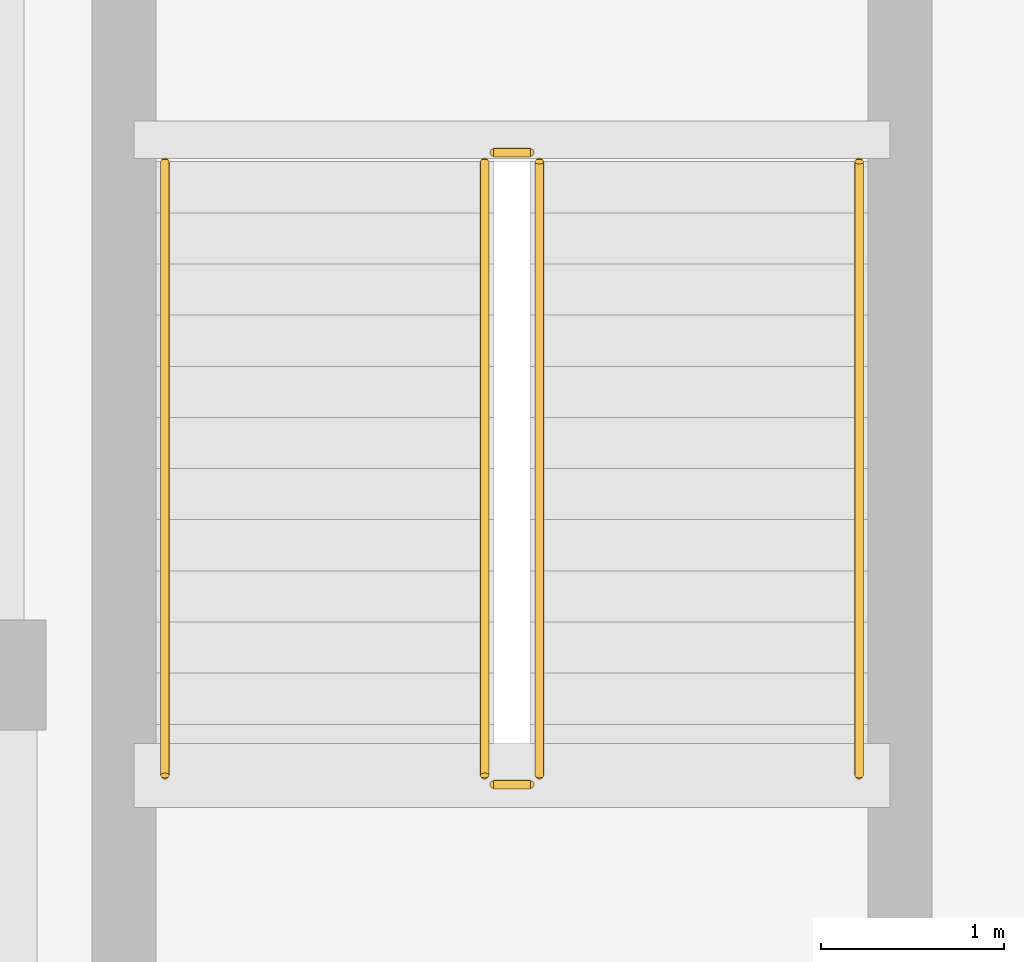
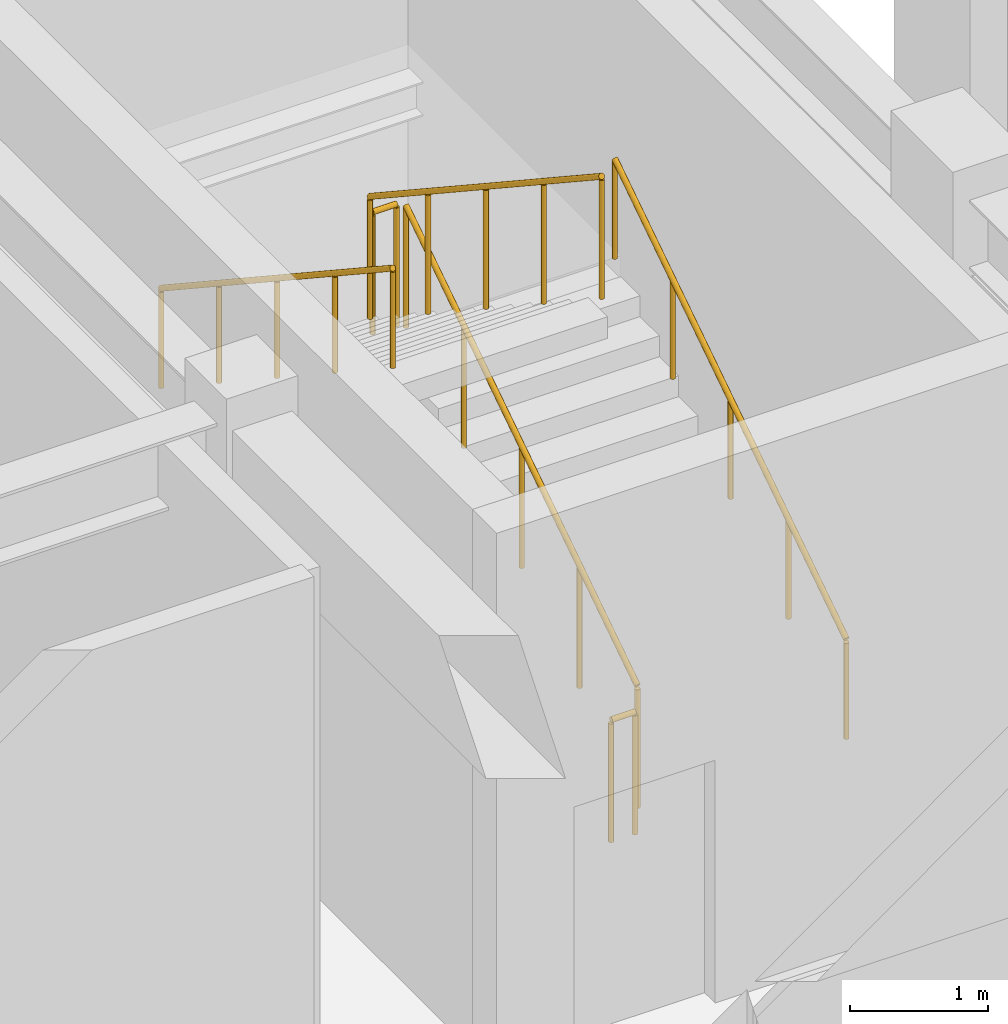
# One storey, part 81 of 85: 6 railings.
"""IFC4 building model written with IfcOpenShell, lengths in metres."""

import ifcopenshell
import ifcopenshell.guid

model = None  # the IFC model being written
_history = None  # IfcOwnerHistory: only IFC2X3 demands one
_inside = {}  # id of a spatial element -> (the spatial element, [elements in it])
_under = {}  # id of a project, library or spatial element -> (it, [spatial elements below it])
_declared = {}  # id of a project -> (the project, [libraries it declares])
_typed = {}  # id of a type object -> (the type object, [elements of that type])
_made_of = {}  # id of a material, layer set ... -> (it, [elements and type objects made of it])


def new_model(schema):
    """Start an empty IFC model of exactly this schema.

    Asked for "IFC4X3", IfcOpenShell would pick the latest addendum, in which some entities
    have other attributes; the version numbers below select the first issue.
    IFC2X3 requires an IfcOwnerHistory on every rooted entity: one is made here for all.
    """
    global model, _history
    if schema == "IFC4X3":
        model = ifcopenshell.file(schema_version=(4, 3, 0, 0))
    else:
        model = ifcopenshell.file(schema=schema)
    _inside.clear()
    _under.clear()
    _declared.clear()
    _typed.clear()
    _made_of.clear()
    _history = None
    if model.schema == "IFC2X3":
        org = make("IfcOrganization", Name="unknown")
        user = make(
            "IfcPersonAndOrganization",
            ThePerson=make("IfcPerson", FamilyName="unknown"),
            TheOrganization=org,
        )
        app = make(
            "IfcApplication",
            ApplicationDeveloper=org,
            Version="unknown",
            ApplicationFullName="unknown",
            ApplicationIdentifier="unknown",
        )
        _history = make(
            "IfcOwnerHistory",
            OwningUser=user,
            OwningApplication=app,
            ChangeAction="ADDED",
            CreationDate=0,
        )
    return model


def make(cls, **values):
    """One entity of the class cls with the attributes given. An attribute that is None is left unset."""
    return model.create_entity(
        cls, **{name: value for name, value in values.items() if value is not None}
    )


def rooted(cls, **values):
    """An entity with a GlobalId (a new one), such as an element, a storey or a relation."""
    return make(cls, GlobalId=ifcopenshell.guid.new(), OwnerHistory=_history, **values)


def si_unit(unit_type, name, prefix=None):
    """IfcSIUnit, for example si_unit("LENGTHUNIT", "METRE", prefix="MILLI")."""
    return make("IfcSIUnit", UnitType=unit_type, Prefix=prefix, Name=name)


def assignment(units):
    """IfcUnitAssignment: the units of a project."""
    return None if units is None else make("IfcUnitAssignment", Units=units)


def point(xyz):
    """IfcCartesianPoint."""
    return None if xyz is None else make("IfcCartesianPoint", Coordinates=xyz)


def direction(xyz):
    """IfcDirection."""
    return None if xyz is None else make("IfcDirection", DirectionRatios=xyz)


def frame(location, z_axis=None, x_axis=None):
    """IfcAxis2Placement3D, a coordinate frame: its origin and axes. An axis left out is left unset."""
    return make(
        "IfcAxis2Placement3D",
        Location=point(location),
        Axis=direction(z_axis),
        RefDirection=direction(x_axis),
    )


def frame_2d(location, x_axis=None):
    """IfcAxis2Placement2D, a coordinate frame in the plane: its origin and x axis."""
    return make(
        "IfcAxis2Placement2D", Location=point(location), RefDirection=direction(x_axis)
    )


def origin():
    """The frame at (0, 0, 0) with its axes left unset."""
    return frame((0.0, 0.0, 0.0))


def origin_2d():
    """The frame at (0, 0) in the plane with its x axis left unset."""
    return frame_2d((0.0, 0.0))


def place(relative_to, where):
    """IfcLocalPlacement: puts the frame where relative to a parent placement (None: the world)."""
    return make(
        "IfcLocalPlacement", PlacementRelTo=relative_to, RelativePlacement=where
    )


def context(
    kind, dimensions, precision=None, world=None, true_north=None, identifier=None
):
    """IfcGeometricRepresentationContext, for example the 3D "Model" context."""
    return make(
        "IfcGeometricRepresentationContext",
        ContextIdentifier=identifier,
        ContextType=kind,
        CoordinateSpaceDimension=dimensions,
        Precision=precision,
        WorldCoordinateSystem=world,
        TrueNorth=true_north,
    )


def subcontext(parent, identifier, kind, view, scale=None):
    """IfcGeometricRepresentationSubContext, for example "Body" below "Model"."""
    return make(
        "IfcGeometricRepresentationSubContext",
        ContextIdentifier=identifier,
        ContextType=kind,
        ParentContext=parent,
        TargetScale=scale,
        TargetView=view,
    )


def project(units=None, contexts=None):
    """IfcProject with its units and contexts."""
    return rooted(
        "IfcProject",
        Name="project",
        RepresentationContexts=contexts,
        UnitsInContext=assignment(units),
    )


def spatial(cls, under=None, at=None, **own):
    """A site, building, storey or space (cls), placed at a placement, below another one or the project."""
    s = rooted(cls, ObjectPlacement=at, **own)
    if under is not None:
        _under.setdefault(under.id(), (under, []))[1].append(s)
    return s


def profile(cls, at=None, kind="AREA", **sizes):
    """A parametric profile (cls). Its sizes go by their IFC names, for example OverallWidth=200.0."""
    return make(cls, ProfileType=kind, Position=at, **sizes)


def circle(**sizes):
    """IfcCircleProfileDef."""
    return profile("IfcCircleProfileDef", **sizes)


def extrude(swept, where, along, depth):
    """IfcExtrudedAreaSolid: the profile swept, set in the frame where, extruded along a direction by depth."""
    return make(
        "IfcExtrudedAreaSolid",
        SweptArea=swept,
        Position=where,
        ExtrudedDirection=direction(along),
        Depth=depth,
    )


def shape(context_of_items, identifier, shape_type, items):
    """IfcShapeRepresentation: the items that make up one representation, for example the "Body"."""
    return make(
        "IfcShapeRepresentation",
        ContextOfItems=context_of_items,
        RepresentationIdentifier=identifier,
        RepresentationType=shape_type,
        Items=items,
    )


def material(Name=None, Category=None):
    """IfcMaterial."""
    return make("IfcMaterial", Name=Name, Category=Category)


def made_of(thing, what):
    """Note that an element or type object is made of a material, layer set ...; save() writes the relation."""
    if what is not None:
        _made_of.setdefault(what.id(), (what, []))[1].append(thing)
    return thing


def type_object(cls, material=None, **own):
    """A type object (cls), such as IfcWallType, which elements share."""
    return made_of(rooted(cls, **own), material)


def element(
    cls,
    number,
    at=None,
    inside=None,
    cuts=None,
    type_object=None,
    material=None,
    context=None,
    identifier="Body",
    shape_type=None,
    held_by="IfcProductDefinitionShape",
    body=None,
    shapes=None,
    **own,
):
    """One element of the class cls, such as IfcWall. Its Tag is "e" and its number.

    at: its placement. inside: the storey or other place that contains it. cuts: it is an
    opening in that element (IfcRelVoidsElement). A single representation is given by context,
    identifier, shape_type and body (its items); several are given by shapes. held_by: the class
    of the entity that holds the representations. save() writes the other relations.
    """
    e = rooted(cls, Tag="e%d" % number, ObjectPlacement=at, **own)
    if body is not None:
        shapes = [shape(context, identifier, shape_type, body)]
    if shapes is not None:
        e.Representation = make(held_by, Representations=shapes)
    if inside is not None:
        _inside.setdefault(inside.id(), (inside, []))[1].append(e)
    if cuts is not None:
        rooted(
            "IfcRelVoidsElement", RelatingBuildingElement=cuts, RelatedOpeningElement=e
        )
    if type_object is not None:
        _typed.setdefault(type_object.id(), (type_object, []))[1].append(e)
    return made_of(e, material)


def aggregate(whole, parts):
    """IfcRelAggregates: a whole, such as a stair, and the parts it consists of."""
    return rooted("IfcRelAggregates", RelatingObject=whole, RelatedObjects=parts)


def save(model, path):
    """Write the relations noted so far, then the file.

    IfcRelAggregates (storeys below a building ...), IfcRelContainedInSpatialStructure (elements
    in a storey), IfcRelDefinesByType, IfcRelAssociatesMaterial and IfcRelDeclares: one each for
    every whole, place, type object, material and project.
    """
    for whole, parts in _under.values():
        aggregate(whole, parts)
    for where, things in _inside.values():
        rooted(
            "IfcRelContainedInSpatialStructure",
            RelatedElements=things,
            RelatingStructure=where,
        )
    for kind, things in _typed.values():
        rooted("IfcRelDefinesByType", RelatedObjects=things, RelatingType=kind)
    for what, things in _made_of.values():
        rooted("IfcRelAssociatesMaterial", RelatedObjects=things, RelatingMaterial=what)
    for by, libraries in _declared.values():
        rooted("IfcRelDeclares", RelatingContext=by, RelatedDefinitions=libraries)
    model.write(path)


model = new_model("IFC4")

# Units and contexts
model_context = context("Model", 3, precision=1e-05, world=origin(), true_north=direction((0.0, 1.0)))
body_context = subcontext(model_context, "Body", "Model", "MODEL_VIEW")
ifc_project = project(units=[si_unit("LENGTHUNIT", "METRE"), si_unit("AREAUNIT", "SQUARE_METRE"), si_unit("VOLUMEUNIT", "CUBIC_METRE"), si_unit("PLANEANGLEUNIT", "RADIAN"), si_unit("MASSUNIT", "GRAM", prefix="KILO")], contexts=[model_context])

# Site, building, storey
site_placement = place(None, origin())
site = spatial("IfcSite", under=ifc_project, at=site_placement, CompositionType="ELEMENT")
building_placement = place(site_placement, origin())
building = spatial("IfcBuilding", under=site, at=building_placement, Name="Vaelkrest Opera House", CompositionType="ELEMENT")
storey_placement = place(building_placement, frame((0.0, 0.0, 10.199951171875)))
storey = spatial("IfcBuildingStorey", under=building, at=storey_placement, Name="L02", CompositionType="ELEMENT", Elevation=10.199951171875)

# Railings
ifc_material = material(Name="Dark bronze anodized aluminium", Category="aluminium")
railing_type_1 = type_object("IfcRailingType", Name="GR02", PredefinedType="GUARDRAIL", material=ifc_material)
railing_1_placement = place(storey_placement, frame((-36.60009765625, 9.64990234375, 0.1845703125)))
element("IfcRailing", 1, at=railing_1_placement, inside=storey, type_object=railing_type_1, Name="L02 ST08 stair guard 1", PredefinedType="GUARDRAIL", context=body_context, shape_type="SweptSolid", body=[
    extrude(circle(Radius=0.02392578125, at=origin_2d()), frame((0.0, 0.0, 1.076171875), z_axis=(0.0, 0.834848600103, 0.550479622607), x_axis=(-1.0, 0.0, 0.0)), (0.0, 0.0, 1.0), 4.02490234375),
    extrude(circle(Radius=0.02099609375, at=origin_2d()), origin(), (0.0, 0.0, 1.0), 1.052001953125),
    extrude(circle(Radius=0.02099609375, at=origin_2d()), frame((0.0, 0.840087890625, 0.553955078125)), (0.0, 0.0, 1.0), 1.052001953125),
    extrude(circle(Radius=0.02099609375, at=origin_2d()), frame((0.0, 1.68017578125, 1.10791015625)), (0.0, 0.0, 1.0), 1.052001953125),
    extrude(circle(Radius=0.02099609375, at=origin_2d()), frame((0.0, 2.52001953125, 1.66162109375)), (0.0, 0.0, 1.0), 1.052001953125),
    extrude(circle(Radius=0.02099609375, at=origin_2d()), frame((0.0, 3.360107421875, 2.215576171875)), (0.0, 0.0, 1.0), 1.052001953125),
])
railing_2_placement = place(storey_placement, frame((-36.64990234375, 13.06005859375, 2.400146484375)))
element("IfcRailing", 2, at=railing_2_placement, inside=storey, type_object=railing_type_1, Name="L02 ST08 stair guard 2", PredefinedType="GUARDRAIL", context=body_context, shape_type="SweptSolid", body=[
    extrude(circle(Radius=0.02392578125, at=origin_2d()), frame((0.0, 0.0, 1.076171875), z_axis=(-1.0, 0.0, 0.0), x_axis=(0.0, -1.0, 0.0)), (0.0, 0.0, 1.0), 0.2001953125),
    extrude(circle(Radius=0.02099609375, at=origin_2d()), origin(), (0.0, 0.0, 1.0), 1.052001953125),
    extrude(circle(Radius=0.02099609375, at=origin_2d()), frame((-0.2001953125, 0.0, 0.0)), (0.0, 0.0, 1.0), 1.052001953125),
])
railing_3_placement = place(storey_placement, frame((-36.89990234375, 13.010009765625, 2.584716796875)))
element("IfcRailing", 3, at=railing_3_placement, inside=storey, type_object=railing_type_1, Name="L02 ST08 stair guard 3", PredefinedType="GUARDRAIL", context=body_context, shape_type="SweptSolid", body=[
    extrude(circle(Radius=0.02392578125, at=origin_2d()), frame((0.0, 0.0, 1.076171875), z_axis=(0.0, -0.834876476806, 0.550437342915), x_axis=(1.0, 0.0, 0.0)), (0.0, 0.0, 1.0), 4.024658203125),
    extrude(circle(Radius=0.02099609375, at=origin_2d()), origin(), (0.0, 0.0, 1.0), 1.052001953125),
    extrude(circle(Radius=0.02099609375, at=origin_2d()), frame((0.0, -0.840087890625, 0.5537109375)), (0.0, 0.0, 1.0), 1.052001953125),
    extrude(circle(Radius=0.02099609375, at=origin_2d()), frame((0.0, -1.68017578125, 1.107666015625)), (0.0, 0.0, 1.0), 1.052001953125),
    extrude(circle(Radius=0.02099609375, at=origin_2d()), frame((0.0, -2.52001953125, 1.66162109375)), (0.0, 0.0, 1.0), 1.052001953125),
    extrude(circle(Radius=0.02099609375, at=origin_2d()), frame((0.0, -3.360107421875, 2.21533203125)), (0.0, 0.0, 1.0), 1.052001953125),
])
railing_4_placement = place(storey_placement, frame((-36.64990234375, 9.60009765625, 0.0)))
element("IfcRailing", 4, at=railing_4_placement, inside=storey, type_object=railing_type_1, Name="L02 ST08 stair guard 4", PredefinedType="GUARDRAIL", context=body_context, shape_type="SweptSolid", body=[
    extrude(circle(Radius=0.02392578125, at=origin_2d()), frame((0.0, 0.0, 1.076171875), z_axis=(-1.0, 0.0, 0.0), x_axis=(0.0, -1.0, 0.0)), (0.0, 0.0, 1.0), 0.2001953125),
    extrude(circle(Radius=0.02099609375, at=origin_2d()), origin(), (0.0, 0.0, 1.0), 1.052001953125),
    extrude(circle(Radius=0.02099609375, at=origin_2d()), frame((-0.2001953125, 0.0, 0.0)), (0.0, 0.0, 1.0), 1.052001953125),
])
railing_type_2 = type_object("IfcRailingType", Name="HR02", PredefinedType="HANDRAIL", material=ifc_material)
railing_5_placement = place(storey_placement, frame((-34.85009765625, 9.64990234375, 0.1845703125)))
element("IfcRailing", 5, at=railing_5_placement, inside=storey, type_object=railing_type_2, Name="L02 ST08 stair handrail 1", PredefinedType="HANDRAIL", context=body_context, shape_type="SweptSolid", body=[
    extrude(circle(Radius=0.02392578125, at=origin_2d()), frame((0.0, 0.0, 0.8759765625), z_axis=(0.0, 0.834848600103, 0.550479622607), x_axis=(-1.0, 0.0, 0.0)), (0.0, 0.0, 1.0), 4.02490234375),
    extrude(circle(Radius=0.02099609375, at=origin_2d()), origin(), (0.0, 0.0, 1.0), 0.851806640625),
    extrude(circle(Radius=0.02099609375, at=origin_2d()), frame((0.0, 0.840087890625, 0.553955078125)), (0.0, 0.0, 1.0), 0.851806640625),
    extrude(circle(Radius=0.02099609375, at=origin_2d()), frame((0.0, 1.68017578125, 1.10791015625)), (0.0, 0.0, 1.0), 0.851806640625),
    extrude(circle(Radius=0.02099609375, at=origin_2d()), frame((0.0, 2.52001953125, 1.66162109375)), (0.0, 0.0, 1.0), 0.851806640625),
    extrude(circle(Radius=0.02099609375, at=origin_2d()), frame((0.0, 3.360107421875, 2.215576171875)), (0.0, 0.0, 1.0), 0.851806640625),
])
railing_6_placement = place(storey_placement, frame((-38.64990234375, 13.010009765625, 2.584716796875)))
element("IfcRailing", 6, at=railing_6_placement, inside=storey, type_object=railing_type_2, Name="L02 ST08 stair handrail 2", PredefinedType="HANDRAIL", context=body_context, shape_type="SweptSolid", body=[
    extrude(circle(Radius=0.02392578125, at=origin_2d()), frame((0.0, 0.0, 0.8759765625), z_axis=(0.0, -0.834876476806, 0.550437342915), x_axis=(1.0, 0.0, 0.0)), (0.0, 0.0, 1.0), 4.024658203125),
    extrude(circle(Radius=0.02099609375, at=origin_2d()), origin(), (0.0, 0.0, 1.0), 0.851806640625),
    extrude(circle(Radius=0.02099609375, at=origin_2d()), frame((0.0, -0.840087890625, 0.5537109375)), (0.0, 0.0, 1.0), 0.851806640625),
    extrude(circle(Radius=0.02099609375, at=origin_2d()), frame((0.0, -1.68017578125, 1.107666015625)), (0.0, 0.0, 1.0), 0.851806640625),
    extrude(circle(Radius=0.02099609375, at=origin_2d()), frame((0.0, -2.52001953125, 1.66162109375)), (0.0, 0.0, 1.0), 0.851806640625),
    extrude(circle(Radius=0.02099609375, at=origin_2d()), frame((0.0, -3.360107421875, 2.21533203125)), (0.0, 0.0, 1.0), 0.851806640625),
])

save(model, "model.ifc")
